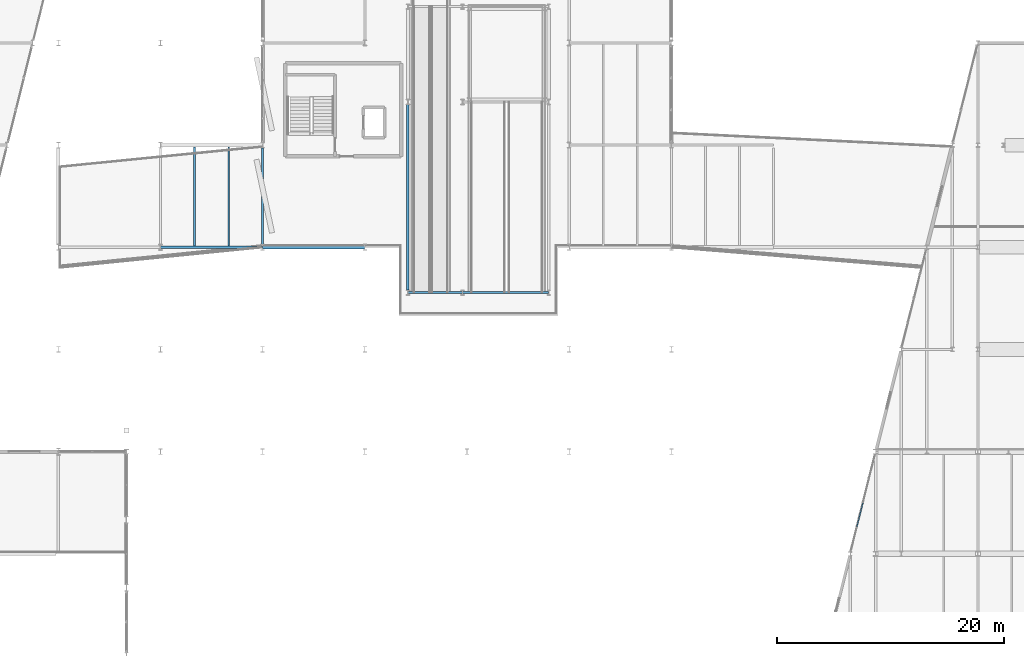
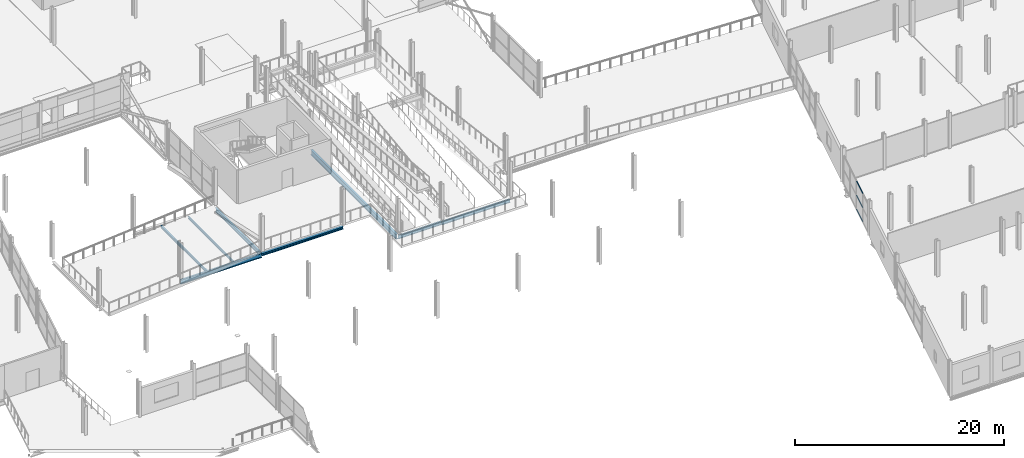
# One storey, part 57 of 135: 8 beams, 3 members, 1 element without a shape of its own.
"""IFC4 building model written with IfcOpenShell, lengths in metres."""

from ifc_helpers import new_model, si_unit, direction, frame, origin, origin_2d, place, context, subcontext, project, spatial, hollow_rectangle, i_section, extrude, material, layer, layer_set, material_profile, profile_set, type_object, element, aggregate, save


model = new_model("IFC4")

# Units and contexts
model_context = context("Model", 3, precision=1e-05, world=origin(), true_north=direction((0.0, 1.0)))
body_context = subcontext(model_context, "Body", "Model", "MODEL_VIEW")
ifc_project = project(units=[si_unit("LENGTHUNIT", "METRE"), si_unit("AREAUNIT", "SQUARE_METRE"), si_unit("VOLUMEUNIT", "CUBIC_METRE"), si_unit("PLANEANGLEUNIT", "RADIAN"), si_unit("MASSUNIT", "GRAM", prefix="KILO")], contexts=[model_context])

# Site, building, storey
site_placement = place(None, origin())
site = spatial("IfcSite", under=ifc_project, at=site_placement, CompositionType="ELEMENT")
building_placement = place(site_placement, origin())
building = spatial("IfcBuilding", under=site, at=building_placement, Name="Deido Ridge Mobility Hub", CompositionType="ELEMENT")
storey_placement = place(building_placement, frame((0.0, 0.0, 4.199951171875)))
storey = spatial("IfcBuildingStorey", under=building, at=storey_placement, Name="L01", CompositionType="ELEMENT", Elevation=4.199951171875)

# Beams
ifc_material_1 = material(Name="Steel S355J2 EN 10025-2", Category="steel")
ifc_material_profile_1 = material_profile(ifc_material_1, i_section(OverallWidth=0.179931640625, OverallDepth=0.39990234375, WebThickness=0.008544921875, FlangeThickness=0.013427734375, FilletRadius=0.02099609375, at=origin_2d()), Name="IPE 400")
ifc_profile_set_1 = profile_set([ifc_material_profile_1], Name="Steel S355J2 EN 10025-2")
beam_type_1 = type_object("IfcBeamType", Name="BM-IPE400", PredefinedType="BEAM", material=ifc_profile_set_1)
beam_1_placement = place(storey_placement, frame((84.806884765625, 50.0, -0.449951171875), z_axis=(1.0, 0.0, 0.0), x_axis=(0.0, 1.0, 0.0)))
element("IfcBeam", 1, at=beam_1_placement, inside=storey, type_object=beam_type_1, Name="Floor beam B5", PredefinedType="BEAM", context=body_context, shape_type="SweptSolid", body=[
    extrude(i_section(OverallWidth=0.179931640625, OverallDepth=0.39990234375, WebThickness=0.008544921875, FlangeThickness=0.013427734375, FilletRadius=0.02099609375, at=origin_2d()), origin(), (0.0, 0.0, 1.0), 4.7861328125),
])
beam_2_placement = place(storey_placement, frame((89.60693359375, 50.0, -0.5), z_axis=(1.0, 0.0, 0.0), x_axis=(0.0, 1.0, 0.0)))
element("IfcBeam", 2, at=beam_2_placement, inside=storey, type_object=beam_type_1, Name="Floor beam B5", PredefinedType="BEAM", context=body_context, shape_type="SweptSolid", body=[
    extrude(i_section(OverallWidth=0.179931640625, OverallDepth=0.39990234375, WebThickness=0.008544921875, FlangeThickness=0.013427734375, FilletRadius=0.02099609375, at=origin_2d()), origin(), (0.0, 0.0, 1.0), 7.586181640625),
])
ifc_material_profile_2 = material_profile(ifc_material_1, i_section(OverallWidth=0.18994140625, OverallDepth=0.449951171875, WebThickness=0.009521484375, FlangeThickness=0.0146484375, FilletRadius=0.02099609375, at=origin_2d()), Name="IPE 450")
ifc_profile_set_2 = profile_set([ifc_material_profile_2], Name="Steel S355J2 EN 10025-2")
beam_type_2 = type_object("IfcBeamType", Name="BM-IPE450", PredefinedType="BEAM", material=ifc_profile_set_2)
beam_3_placement = place(storey_placement, frame((72.0, 54.25, -0.474853515625), z_axis=(0.0, 1.0, 0.0), x_axis=(-1.0, 0.0, 0.0)))
element("IfcBeam", 3, at=beam_3_placement, inside=storey, type_object=beam_type_2, Name="Floor beam B4", PredefinedType="BEAM", context=body_context, shape_type="SweptSolid", body=[
    extrude(i_section(OverallWidth=0.18994140625, OverallDepth=0.449951171875, WebThickness=0.009521484375, FlangeThickness=0.0146484375, FilletRadius=0.02099609375, at=origin_2d()), origin(), (0.0, 0.0, 1.0), 8.5),
])
ifc_material_profile_3 = material_profile(ifc_material_1, i_section(OverallWidth=0.199951171875, OverallDepth=0.5, WebThickness=0.01025390625, FlangeThickness=0.01611328125, FilletRadius=0.02099609375, at=origin_2d()), Name="IPE 500")
ifc_profile_set_3 = profile_set([ifc_material_profile_3], Name="Steel S355J2 EN 10025-2")
beam_type_3 = type_object("IfcBeamType", Name="BM-IPE500", PredefinedType="BEAM", material=ifc_profile_set_3)
beam_4_placement = place(storey_placement, frame((63.007080078125, 54.0, -0.5), z_axis=(1.0, 0.0, 0.0), x_axis=(0.0, 1.0, 0.0)))
element("IfcBeam", 4, at=beam_4_placement, inside=storey, type_object=beam_type_3, Name="Floor beam B3", PredefinedType="BEAM", context=body_context, shape_type="SweptSolid", body=[
    extrude(i_section(OverallWidth=0.199951171875, OverallDepth=0.5, WebThickness=0.01025390625, FlangeThickness=0.01611328125, FilletRadius=0.02099609375, at=origin_2d()), origin(), (0.0, 0.0, 1.0), 8.98583984375),
])
ifc_material_profile_4 = material_profile(ifc_material_1, i_section(OverallWidth=0.219970703125, OverallDepth=0.60009765625, WebThickness=0.011962890625, FlangeThickness=0.01904296875, FilletRadius=0.02392578125, at=origin_2d()), Name="IPE 600")
ifc_profile_set_4 = profile_set([ifc_material_profile_4], Name="Steel S355J2 EN 10025-2")
beam_type_4 = type_object("IfcBeamType", Name="BM-IPE600", PredefinedType="BEAM", material=ifc_profile_set_4)
beam_5_placement = place(storey_placement, frame((84.800048828125, 50.22509765625, -0.550048828125), z_axis=(0.0, 1.0, 0.0), x_axis=(-1.0, 0.0, 0.0)))
element("IfcBeam", 5, at=beam_5_placement, inside=storey, type_object=beam_type_4, Name="Floor beam B1", PredefinedType="BEAM", context=body_context, shape_type="SweptSolid", body=[
    extrude(i_section(OverallWidth=0.219970703125, OverallDepth=0.60009765625, WebThickness=0.011962890625, FlangeThickness=0.01904296875, FilletRadius=0.02392578125, at=origin_2d()), origin(), (0.0, 0.0, 1.0), 16.349853515625),
])
ifc_material_profile_5 = material_profile(ifc_material_1, i_section(OverallWidth=0.135009765625, OverallDepth=0.27001953125, WebThickness=0.006591796875, FlangeThickness=0.01025390625, FilletRadius=0.014892578125, at=origin_2d()), Name="IPE 270")
ifc_profile_set_5 = profile_set([ifc_material_profile_5], Name="Steel S355J2 EN 10025-2")
beam_type_5 = type_object("IfcBeamType", Name="JST-IPE270", PredefinedType="JOIST", material=ifc_profile_set_5)
beam_6_placement = place(storey_placement, frame((69.0, 54.10009765625, -0.385009765625), z_axis=(0.0, 1.0, 0.0), x_axis=(-1.0, 0.0, 0.0)))
element("IfcBeam", 6, at=beam_6_placement, inside=storey, type_object=beam_type_5, Name="Composite joist J4", PredefinedType="JOIST", context=body_context, shape_type="SweptSolid", body=[
    extrude(i_section(OverallWidth=0.135009765625, OverallDepth=0.27001953125, WebThickness=0.006591796875, FlangeThickness=0.01025390625, FilletRadius=0.014892578125, at=origin_2d()), origin(), (0.0, 0.0, 1.0), 8.75),
])
ifc_material_profile_6 = material_profile(ifc_material_1, i_section(OverallWidth=0.14990234375, OverallDepth=0.300048828125, WebThickness=0.007080078125, FlangeThickness=0.0107421875, FilletRadius=0.014892578125, at=origin_2d()), Name="IPE 300")
ifc_profile_set_6 = profile_set([ifc_material_profile_6], Name="Steel S355J2 EN 10025-2")
beam_type_6 = type_object("IfcBeamType", Name="JST-IPE300", PredefinedType="JOIST", material=ifc_profile_set_6)
beam_7_placement = place(storey_placement, frame((66.0, 54.10009765625, -0.39990234375), z_axis=(0.0, 1.0, 0.0), x_axis=(-1.0, 0.0, 0.0)))
element("IfcBeam", 7, at=beam_7_placement, inside=storey, type_object=beam_type_6, Name="Composite joist J3", PredefinedType="JOIST", context=body_context, shape_type="SweptSolid", body=[
    extrude(i_section(OverallWidth=0.14990234375, OverallDepth=0.300048828125, WebThickness=0.007080078125, FlangeThickness=0.0107421875, FilletRadius=0.014892578125, at=origin_2d()), origin(), (0.0, 0.0, 1.0), 8.75),
])

# Curtain wall, members
ifc_material_2 = material(Name="Anodised aluminium EN AW-6063 T6", Category="aluminium")
ifc_layer = layer(ifc_material_2, 0.179931640625, Name="Anodised aluminium EN AW-6063 T6")
ifc_layer_set = layer_set([ifc_layer], Name="Anodised aluminium EN AW-6063 T6")
curtain_wall_type = type_object("IfcCurtainWallType", Name="CW-UF-2", PredefinedType="USERDEFINED", material=ifc_layer_set)
curtain_wall_placement = place(storey_placement, origin())
curtain_wall = element("IfcCurtainWall", 8, at=curtain_wall_placement, inside=storey, type_object=curtain_wall_type, Name="Unitised curtain wall CW2", ObjectType="UNITISED FACADE", PredefinedType="USERDEFINED")
ifc_material_profile_7 = material_profile(ifc_material_2, hollow_rectangle(XDim=0.10498046875, YDim=0.050048828125, WallThickness=0.00390625, at=origin_2d()), Name="RHS 105x50x4")
ifc_profile_set_7 = profile_set([ifc_material_profile_7], Name="Anodised aluminium EN AW-6063 T6")
member_type = type_object("IfcMemberType", Name="MEM-TRN-105X50", PredefinedType="USERDEFINED", material=ifc_profile_set_7)
member_1_placement = place(storey_placement, frame((124.342529296875, 29.369873046875, 0.025146484375), z_axis=(0.242482352335, 0.970155816767, 0.0), x_axis=(-0.970155816767, 0.242482352335, 0.0)))
member_1 = element("IfcMember", 9, at=member_1_placement, type_object=member_type, Name="CW2 transom 2.1", ObjectType="TRANSOM", PredefinedType="USERDEFINED", context=body_context, shape_type="SweptSolid", body=[
    extrude(hollow_rectangle(XDim=0.10498046875, YDim=0.050048828125, WallThickness=0.00390625, at=origin_2d()), origin(), (0.0, 0.0, 1.0), 2.15673828125),
])
member_2_placement = place(storey_placement, frame((124.342529296875, 29.369873046875, 1.66015625), z_axis=(0.242482352335, 0.970155816767, 0.0), x_axis=(-0.970155816767, 0.242482352335, 0.0)))
member_2 = element("IfcMember", 10, at=member_2_placement, type_object=member_type, Name="CW2 transom 2.2", ObjectType="TRANSOM", PredefinedType="USERDEFINED", context=body_context, shape_type="SweptSolid", body=[
    extrude(hollow_rectangle(XDim=0.10498046875, YDim=0.050048828125, WallThickness=0.00390625, at=origin_2d()), origin(), (0.0, 0.0, 1.0), 2.15673828125),
])
member_3_placement = place(storey_placement, frame((124.342529296875, 29.369873046875, 3.295166015625), z_axis=(0.242482352335, 0.970155816767, 0.0), x_axis=(-0.970155816767, 0.242482352335, 0.0)))
member_3 = element("IfcMember", 11, at=member_3_placement, type_object=member_type, Name="CW2 transom 2.3", ObjectType="TRANSOM", PredefinedType="USERDEFINED", context=body_context, shape_type="SweptSolid", body=[
    extrude(hollow_rectangle(XDim=0.10498046875, YDim=0.050048828125, WallThickness=0.00390625, at=origin_2d()), origin(), (0.0, 0.0, 1.0), 2.15673828125),
])
aggregate(curtain_wall, [member_1, member_2, member_3])

# Beam
ifc_material_profile_8 = material_profile(ifc_material_1, i_section(OverallWidth=0.300048828125, OverallDepth=0.300048828125, WebThickness=0.010986328125, FlangeThickness=0.01904296875, FilletRadius=0.027099609375, at=origin_2d()), Name="HEB 300")
ifc_profile_set_8 = profile_set([ifc_material_profile_8], Name="Steel S355J2 EN 10025-2")
beam_type_7 = type_object("IfcBeamType", Name="SPD-HEB300", PredefinedType="SPANDREL", material=ifc_profile_set_8)
beam_8_placement = place(storey_placement, frame((72.007080078125, 54.0, -0.39990234375), z_axis=(1.0, 0.0, 0.0), x_axis=(0.0, 1.0, 0.0)))
element("IfcBeam", 12, at=beam_8_placement, inside=storey, type_object=beam_type_7, Name="Floor beam SP1", PredefinedType="SPANDREL", context=body_context, shape_type="SweptSolid", body=[
    extrude(i_section(OverallWidth=0.300048828125, OverallDepth=0.300048828125, WebThickness=0.010986328125, FlangeThickness=0.01904296875, FilletRadius=0.027099609375, at=origin_2d()), origin(), (0.0, 0.0, 1.0), 8.98583984375),
])

save(model, "model.ifc")
